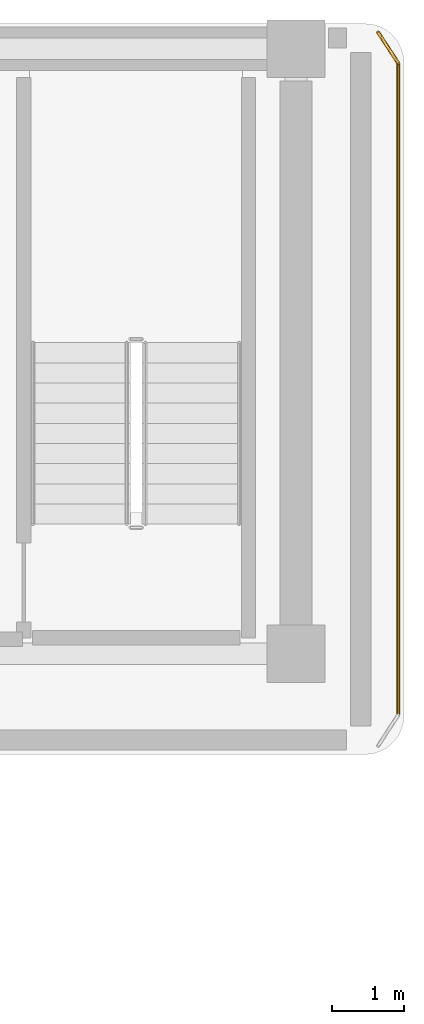
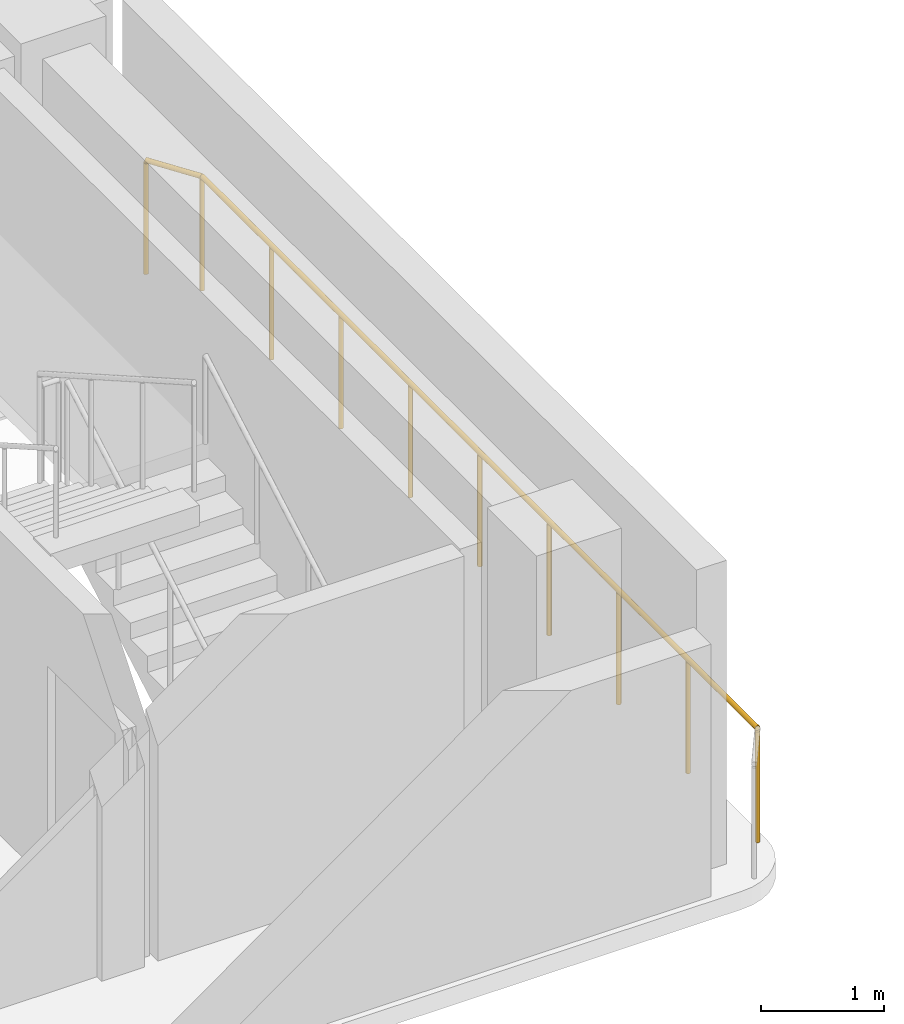
# One storey, part 6 of 6: 2 railings.
"""IFC4 building model written with IfcOpenShell, lengths in metres."""

from ifc_helpers import new_model, si_unit, direction, frame, origin, origin_2d, place, context, subcontext, project, spatial, circle, extrude, material, layer, layer_set, type_object, element, save


model = new_model("IFC4")

# Units and contexts
model_context = context("Model", 3, precision=1e-05, world=origin(), true_north=direction((0.0, 1.0)))
body_context = subcontext(model_context, "Body", "Model", "MODEL_VIEW")
ifc_project = project(units=[si_unit("LENGTHUNIT", "METRE"), si_unit("AREAUNIT", "SQUARE_METRE"), si_unit("VOLUMEUNIT", "CUBIC_METRE"), si_unit("PLANEANGLEUNIT", "RADIAN"), si_unit("MASSUNIT", "GRAM", prefix="KILO")], contexts=[model_context])

# Site, building, storey
site_placement = place(None, origin())
site = spatial("IfcSite", under=ifc_project, at=site_placement, CompositionType="ELEMENT")
building_placement = place(site_placement, origin())
building = spatial("IfcBuilding", under=site, at=building_placement, Name="Kuzgunbayir Cultural Tower", CompositionType="ELEMENT")
storey_placement = place(building_placement, frame((0.0, 0.0, 221.60009765625)))
storey = spatial("IfcBuildingStorey", under=building, at=storey_placement, Name="L65", CompositionType="ELEMENT", Elevation=221.60009765625)

# Railings
ifc_material = material(Name="Laminated Glass and Stainless Steel", Category="steel")
ifc_layer = layer(ifc_material, 0.080078125)
ifc_layer_set = layer_set([ifc_layer], Name="Laminated Glass and Stainless Steel")
railing_type = type_object("IfcRailingType", Name="RLG-BAL-115", PredefinedType="BALUSTRADE", material=ifc_layer_set)
railing_1_placement = place(storey_placement, frame((28.0400390625, 42.429931640625, 0.0)))
element("IfcRailing", 1, at=railing_1_placement, inside=storey, type_object=railing_type, Name="L65 Perimeter Edge Guard 1", PredefinedType="BALUSTRADE", context=body_context, shape_type="SweptSolid", body=[
    extrude(circle(Radius=0.02392578125, at=origin_2d()), frame((0.0, 0.0, 1.1259765625), z_axis=(0.545774188207, -0.837932297675, 0.0), x_axis=(0.837932297675, 0.545774188207, 0.0)), (0.0, 0.0, 1.0), 0.51318359375),
    extrude(circle(Radius=0.02099609375, at=origin_2d()), origin(), (0.0, 0.0, 1.0), 1.101806640625),
    extrude(circle(Radius=0.02099609375, at=origin_2d()), frame((0.280029296875, -0.429931640625, 0.0)), (0.0, 0.0, 1.0), 1.101806640625),
])
railing_2_placement = place(storey_placement, frame((28.320068359375, 42.0, 0.0)))
element("IfcRailing", 2, at=railing_2_placement, inside=storey, type_object=railing_type, Name="L65 Perimeter Edge Guard 2", PredefinedType="BALUSTRADE", context=body_context, shape_type="SweptSolid", body=[
    extrude(circle(Radius=0.02392578125, at=origin_2d()), frame((0.0, 0.0, 1.1259765625), z_axis=(0.0, -1.0, 0.0), x_axis=(1.0, 0.0, 0.0)), (0.0, 0.0, 1.0), 9.050048828125),
    extrude(circle(Radius=0.02099609375, at=origin_2d()), origin(), (0.0, 0.0, 1.0), 1.101806640625),
    extrude(circle(Radius=0.02099609375, at=origin_2d()), frame((0.0, -1.13134765625, 0.0)), (0.0, 0.0, 1.0), 1.101806640625),
    extrude(circle(Radius=0.02099609375, at=origin_2d()), frame((0.0, -2.262451171875, 0.0)), (0.0, 0.0, 1.0), 1.101806640625),
    extrude(circle(Radius=0.02099609375, at=origin_2d()), frame((0.0, -3.393798828125, 0.0)), (0.0, 0.0, 1.0), 1.101806640625),
    extrude(circle(Radius=0.02099609375, at=origin_2d()), frame((0.0, -4.52490234375, 0.0)), (0.0, 0.0, 1.0), 1.101806640625),
    extrude(circle(Radius=0.02099609375, at=origin_2d()), frame((0.0, -5.65625, 0.0)), (0.0, 0.0, 1.0), 1.101806640625),
    extrude(circle(Radius=0.02099609375, at=origin_2d()), frame((0.0, -6.78759765625, 0.0)), (0.0, 0.0, 1.0), 1.101806640625),
    extrude(circle(Radius=0.02099609375, at=origin_2d()), frame((0.0, -7.918701171875, 0.0)), (0.0, 0.0, 1.0), 1.101806640625),
    extrude(circle(Radius=0.02099609375, at=origin_2d()), frame((0.0, -9.050048828125, 0.0)), (0.0, 0.0, 1.0), 1.101806640625),
])

save(model, "model.ifc")
